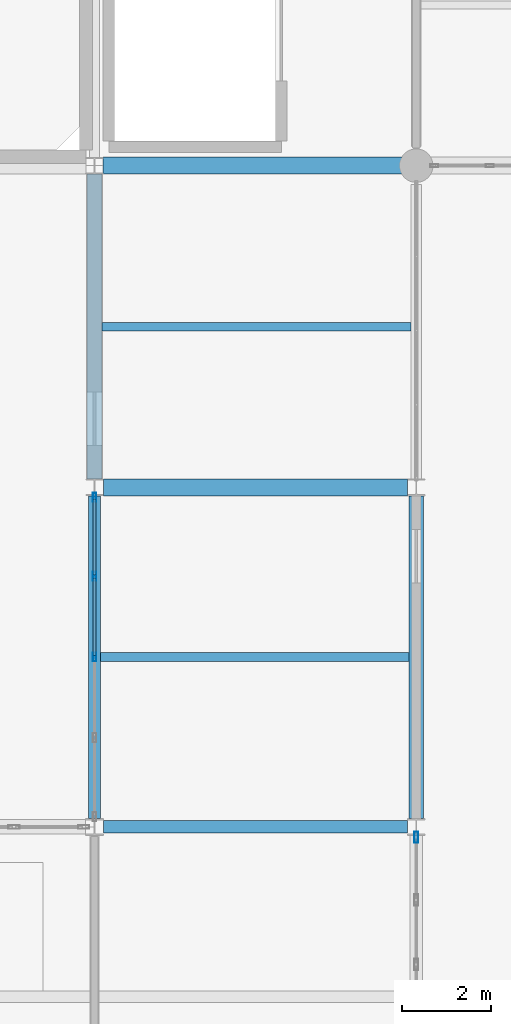
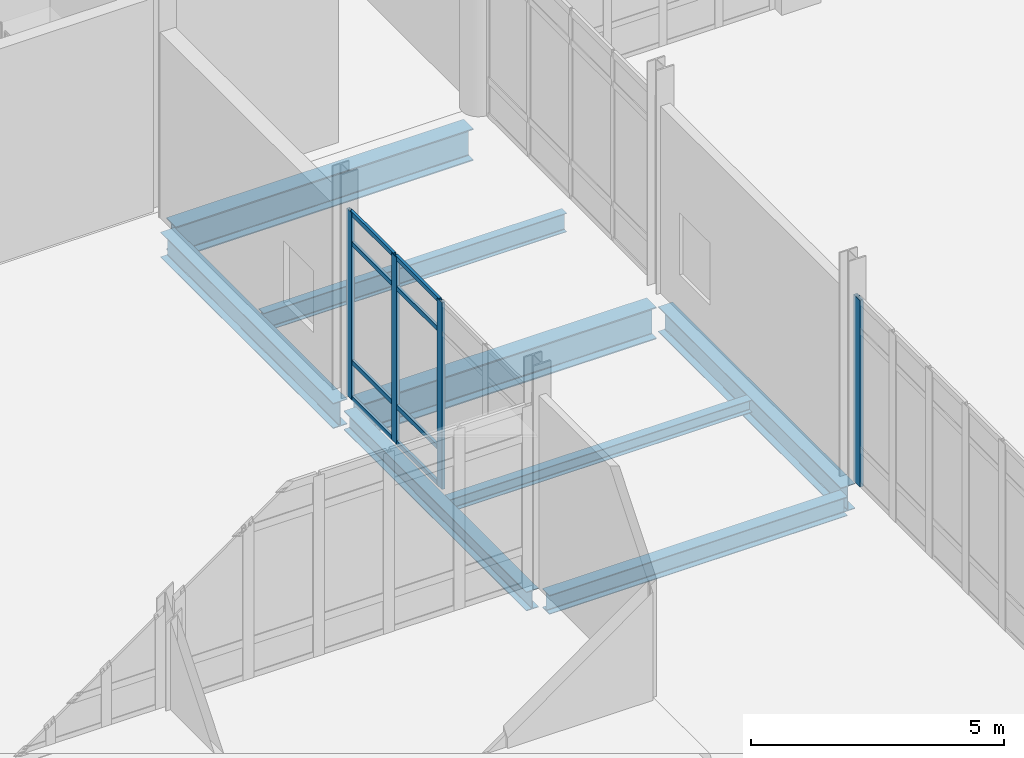
# One storey, part 107 of 229: 12 members, 8 beams, 2 elements without a shape of their own.
"""IFC4 building model written with IfcOpenShell, lengths in metres."""

import ifcopenshell
import ifcopenshell.guid

model = None  # the IFC model being written
_history = None  # IfcOwnerHistory: only IFC2X3 demands one
_inside = {}  # id of a spatial element -> (the spatial element, [elements in it])
_under = {}  # id of a project, library or spatial element -> (it, [spatial elements below it])
_declared = {}  # id of a project -> (the project, [libraries it declares])
_typed = {}  # id of a type object -> (the type object, [elements of that type])
_made_of = {}  # id of a material, layer set ... -> (it, [elements and type objects made of it])


def new_model(schema):
    """Start an empty IFC model of exactly this schema.

    Asked for "IFC4X3", IfcOpenShell would pick the latest addendum, in which some entities
    have other attributes; the version numbers below select the first issue.
    IFC2X3 requires an IfcOwnerHistory on every rooted entity: one is made here for all.
    """
    global model, _history
    if schema == "IFC4X3":
        model = ifcopenshell.file(schema_version=(4, 3, 0, 0))
    else:
        model = ifcopenshell.file(schema=schema)
    _inside.clear()
    _under.clear()
    _declared.clear()
    _typed.clear()
    _made_of.clear()
    _history = None
    if model.schema == "IFC2X3":
        org = make("IfcOrganization", Name="unknown")
        user = make(
            "IfcPersonAndOrganization",
            ThePerson=make("IfcPerson", FamilyName="unknown"),
            TheOrganization=org,
        )
        app = make(
            "IfcApplication",
            ApplicationDeveloper=org,
            Version="unknown",
            ApplicationFullName="unknown",
            ApplicationIdentifier="unknown",
        )
        _history = make(
            "IfcOwnerHistory",
            OwningUser=user,
            OwningApplication=app,
            ChangeAction="ADDED",
            CreationDate=0,
        )
    return model


def make(cls, **values):
    """One entity of the class cls with the attributes given. An attribute that is None is left unset."""
    return model.create_entity(
        cls, **{name: value for name, value in values.items() if value is not None}
    )


def rooted(cls, **values):
    """An entity with a GlobalId (a new one), such as an element, a storey or a relation."""
    return make(cls, GlobalId=ifcopenshell.guid.new(), OwnerHistory=_history, **values)


def si_unit(unit_type, name, prefix=None):
    """IfcSIUnit, for example si_unit("LENGTHUNIT", "METRE", prefix="MILLI")."""
    return make("IfcSIUnit", UnitType=unit_type, Prefix=prefix, Name=name)


def assignment(units):
    """IfcUnitAssignment: the units of a project."""
    return None if units is None else make("IfcUnitAssignment", Units=units)


def point(xyz):
    """IfcCartesianPoint."""
    return None if xyz is None else make("IfcCartesianPoint", Coordinates=xyz)


def direction(xyz):
    """IfcDirection."""
    return None if xyz is None else make("IfcDirection", DirectionRatios=xyz)


def frame(location, z_axis=None, x_axis=None):
    """IfcAxis2Placement3D, a coordinate frame: its origin and axes. An axis left out is left unset."""
    return make(
        "IfcAxis2Placement3D",
        Location=point(location),
        Axis=direction(z_axis),
        RefDirection=direction(x_axis),
    )


def frame_2d(location, x_axis=None):
    """IfcAxis2Placement2D, a coordinate frame in the plane: its origin and x axis."""
    return make(
        "IfcAxis2Placement2D", Location=point(location), RefDirection=direction(x_axis)
    )


def origin():
    """The frame at (0, 0, 0) with its axes left unset."""
    return frame((0.0, 0.0, 0.0))


def origin_2d():
    """The frame at (0, 0) in the plane with its x axis left unset."""
    return frame_2d((0.0, 0.0))


def place(relative_to, where):
    """IfcLocalPlacement: puts the frame where relative to a parent placement (None: the world)."""
    return make(
        "IfcLocalPlacement", PlacementRelTo=relative_to, RelativePlacement=where
    )


def context(
    kind, dimensions, precision=None, world=None, true_north=None, identifier=None
):
    """IfcGeometricRepresentationContext, for example the 3D "Model" context."""
    return make(
        "IfcGeometricRepresentationContext",
        ContextIdentifier=identifier,
        ContextType=kind,
        CoordinateSpaceDimension=dimensions,
        Precision=precision,
        WorldCoordinateSystem=world,
        TrueNorth=true_north,
    )


def subcontext(parent, identifier, kind, view, scale=None):
    """IfcGeometricRepresentationSubContext, for example "Body" below "Model"."""
    return make(
        "IfcGeometricRepresentationSubContext",
        ContextIdentifier=identifier,
        ContextType=kind,
        ParentContext=parent,
        TargetScale=scale,
        TargetView=view,
    )


def project(units=None, contexts=None):
    """IfcProject with its units and contexts."""
    return rooted(
        "IfcProject",
        Name="project",
        RepresentationContexts=contexts,
        UnitsInContext=assignment(units),
    )


def spatial(cls, under=None, at=None, **own):
    """A site, building, storey or space (cls), placed at a placement, below another one or the project."""
    s = rooted(cls, ObjectPlacement=at, **own)
    if under is not None:
        _under.setdefault(under.id(), (under, []))[1].append(s)
    return s


def profile(cls, at=None, kind="AREA", **sizes):
    """A parametric profile (cls). Its sizes go by their IFC names, for example OverallWidth=200.0."""
    return make(cls, ProfileType=kind, Position=at, **sizes)


def hollow_rectangle(**sizes):
    """IfcRectangleHollowProfileDef."""
    return profile("IfcRectangleHollowProfileDef", **sizes)


def i_section(**sizes):
    """IfcIShapeProfileDef."""
    return profile("IfcIShapeProfileDef", **sizes)


def extrude(swept, where, along, depth):
    """IfcExtrudedAreaSolid: the profile swept, set in the frame where, extruded along a direction by depth."""
    return make(
        "IfcExtrudedAreaSolid",
        SweptArea=swept,
        Position=where,
        ExtrudedDirection=direction(along),
        Depth=depth,
    )


def shape(context_of_items, identifier, shape_type, items):
    """IfcShapeRepresentation: the items that make up one representation, for example the "Body"."""
    return make(
        "IfcShapeRepresentation",
        ContextOfItems=context_of_items,
        RepresentationIdentifier=identifier,
        RepresentationType=shape_type,
        Items=items,
    )


def material(Name=None, Category=None):
    """IfcMaterial."""
    return make("IfcMaterial", Name=Name, Category=Category)


def layer(
    of_material, thickness, ventilated=None, Name=None, Category=None, Priority=None
):
    """IfcMaterialLayer: one layer of a wall or slab, of a material (None: an air gap)."""
    return make(
        "IfcMaterialLayer",
        Material=of_material,
        LayerThickness=thickness,
        IsVentilated=ventilated,
        Name=Name,
        Category=Category,
        Priority=Priority,
    )


def layer_set(layers, Name=None):
    """IfcMaterialLayerSet."""
    return make("IfcMaterialLayerSet", MaterialLayers=layers, LayerSetName=Name)


def material_profile(
    of_material, cross_section, Name=None, Category=None, Priority=None
):
    """IfcMaterialProfile: a cross section and its material."""
    return make(
        "IfcMaterialProfile",
        Name=Name,
        Material=of_material,
        Profile=cross_section,
        Priority=Priority,
        Category=Category,
    )


def profile_set(profiles, Name=None, composite=None):
    """IfcMaterialProfileSet."""
    return make(
        "IfcMaterialProfileSet",
        Name=Name,
        MaterialProfiles=profiles,
        CompositeProfile=composite,
    )


def made_of(thing, what):
    """Note that an element or type object is made of a material, layer set ...; save() writes the relation."""
    if what is not None:
        _made_of.setdefault(what.id(), (what, []))[1].append(thing)
    return thing


def type_object(cls, material=None, **own):
    """A type object (cls), such as IfcWallType, which elements share."""
    return made_of(rooted(cls, **own), material)


def element(
    cls,
    number,
    at=None,
    inside=None,
    cuts=None,
    type_object=None,
    material=None,
    context=None,
    identifier="Body",
    shape_type=None,
    held_by="IfcProductDefinitionShape",
    body=None,
    shapes=None,
    **own,
):
    """One element of the class cls, such as IfcWall. Its Tag is "e" and its number.

    at: its placement. inside: the storey or other place that contains it. cuts: it is an
    opening in that element (IfcRelVoidsElement). A single representation is given by context,
    identifier, shape_type and body (its items); several are given by shapes. held_by: the class
    of the entity that holds the representations. save() writes the other relations.
    """
    e = rooted(cls, Tag="e%d" % number, ObjectPlacement=at, **own)
    if body is not None:
        shapes = [shape(context, identifier, shape_type, body)]
    if shapes is not None:
        e.Representation = make(held_by, Representations=shapes)
    if inside is not None:
        _inside.setdefault(inside.id(), (inside, []))[1].append(e)
    if cuts is not None:
        rooted(
            "IfcRelVoidsElement", RelatingBuildingElement=cuts, RelatedOpeningElement=e
        )
    if type_object is not None:
        _typed.setdefault(type_object.id(), (type_object, []))[1].append(e)
    return made_of(e, material)


def aggregate(whole, parts):
    """IfcRelAggregates: a whole, such as a stair, and the parts it consists of."""
    return rooted("IfcRelAggregates", RelatingObject=whole, RelatedObjects=parts)


def save(model, path):
    """Write the relations noted so far, then the file.

    IfcRelAggregates (storeys below a building ...), IfcRelContainedInSpatialStructure (elements
    in a storey), IfcRelDefinesByType, IfcRelAssociatesMaterial and IfcRelDeclares: one each for
    every whole, place, type object, material and project.
    """
    for whole, parts in _under.values():
        aggregate(whole, parts)
    for where, things in _inside.values():
        rooted(
            "IfcRelContainedInSpatialStructure",
            RelatedElements=things,
            RelatingStructure=where,
        )
    for kind, things in _typed.values():
        rooted("IfcRelDefinesByType", RelatedObjects=things, RelatingType=kind)
    for what, things in _made_of.values():
        rooted("IfcRelAssociatesMaterial", RelatedObjects=things, RelatingMaterial=what)
    for by, libraries in _declared.values():
        rooted("IfcRelDeclares", RelatingContext=by, RelatedDefinitions=libraries)
    model.write(path)


model = new_model("IFC4")

# Units and contexts
model_context = context("Model", 3, precision=1e-05, world=origin(), true_north=direction((0.0, 1.0)))
body_context = subcontext(model_context, "Body", "Model", "MODEL_VIEW")
ifc_project = project(units=[si_unit("LENGTHUNIT", "METRE"), si_unit("AREAUNIT", "SQUARE_METRE"), si_unit("VOLUMEUNIT", "CUBIC_METRE"), si_unit("PLANEANGLEUNIT", "RADIAN"), si_unit("MASSUNIT", "GRAM", prefix="KILO")], contexts=[model_context])

# Site, building, storey
site_placement = place(None, origin())
site = spatial("IfcSite", under=ifc_project, at=site_placement, CompositionType="ELEMENT")
building_placement = place(site_placement, origin())
building = spatial("IfcBuilding", under=site, at=building_placement, Name="Calvrana Isthmian Art Gallery", CompositionType="ELEMENT")
storey_placement = place(building_placement, origin())
storey = spatial("IfcBuildingStorey", under=building, at=storey_placement, Name="L00", CompositionType="ELEMENT", Elevation=0.0)

# Beams
ifc_material_1 = material(Name="Steel ASTM A992 Gr 50", Category="steel")
ifc_material_profile_1 = material_profile(ifc_material_1, i_section(OverallWidth=0.279052734375, OverallDepth=0.4619140625, WebThickness=0.0107421875, FlangeThickness=0.017333984375, FilletRadius=0.02001953125, at=origin_2d()), Name="W18X76")
ifc_profile_set_1 = profile_set([ifc_material_profile_1], Name="Steel ASTM A992 Gr 50")
beam_type_1 = type_object("IfcBeamType", Name="BM-G-W18X76", PredefinedType="BEAM", material=ifc_profile_set_1)
beam_1_placement = place(storey_placement, frame((112.998046875, 62.0, -0.535888671875), z_axis=(1.0, 0.0, 0.0), x_axis=(0.0, 1.0, 0.0)))
element("IfcBeam", 1, at=beam_1_placement, inside=storey, type_object=beam_type_1, Name="Girder X L00 15-16/I", PredefinedType="BEAM", context=body_context, shape_type="SweptSolid", body=[
    extrude(i_section(OverallWidth=0.279052734375, OverallDepth=0.4619140625, WebThickness=0.0107421875, FlangeThickness=0.017333984375, FilletRadius=0.02001953125, at=origin_2d()), origin(), (0.0, 0.0, 1.0), 6.804931640625),
])
beam_2_placement = place(storey_placement, frame((112.800048828125, 62.1904296875, -0.535888671875), z_axis=(0.0, 1.0, 0.0), x_axis=(-1.0, 0.0, 0.0)))
element("IfcBeam", 2, at=beam_2_placement, inside=storey, type_object=beam_type_1, Name="Girder Y L00 15/I-J", PredefinedType="BEAM", context=body_context, shape_type="SweptSolid", body=[
    extrude(i_section(OverallWidth=0.279052734375, OverallDepth=0.4619140625, WebThickness=0.0107421875, FlangeThickness=0.017333984375, FilletRadius=0.02001953125, at=origin_2d()), origin(), (0.0, 0.0, 1.0), 7.216552734375),
])
ifc_material_profile_2 = material_profile(ifc_material_1, i_section(OverallWidth=0.324951171875, OverallDepth=0.612060546875, WebThickness=0.0126953125, FlangeThickness=0.01904296875, FilletRadius=0.02197265625, at=origin_2d()), Name="W24X104")
ifc_profile_set_2 = profile_set([ifc_material_profile_2], Name="Steel ASTM A992 Gr 50")
beam_type_2 = type_object("IfcBeamType", Name="BM-G-W24X104", PredefinedType="BEAM", material=ifc_profile_set_2)
beam_3_placement = place(storey_placement, frame((112.800048828125, 69.79296875, -0.660888671875), z_axis=(0.0, 1.0, 0.0), x_axis=(-1.0, 0.0, 0.0)))
element("IfcBeam", 3, at=beam_3_placement, inside=storey, type_object=beam_type_2, Name="Girder Y L00 15/J-K", PredefinedType="BEAM", context=body_context, shape_type="SweptSolid", body=[
    extrude(i_section(OverallWidth=0.324951171875, OverallDepth=0.612060546875, WebThickness=0.0126953125, FlangeThickness=0.01904296875, FilletRadius=0.02197265625, at=origin_2d()), origin(), (0.0, 0.0, 1.0), 6.820556640625),
])
beam_4_placement = place(storey_placement, frame((120.0, 62.18798828125, -0.611083984375), z_axis=(0.0, 1.0, 0.0), x_axis=(-1.0, 0.0, 0.0)))
element("IfcBeam", 4, at=beam_4_placement, inside=storey, type_object=beam_type_2, Name="Girder Y L00 16/I-J", PredefinedType="BEAM", context=body_context, shape_type="SweptSolid", body=[
    extrude(i_section(OverallWidth=0.324951171875, OverallDepth=0.612060546875, WebThickness=0.0126953125, FlangeThickness=0.01904296875, FilletRadius=0.02197265625, at=origin_2d()), origin(), (0.0, 0.0, 1.0), 7.221435546875),
])
ifc_material_profile_3 = material_profile(ifc_material_1, i_section(OverallWidth=0.381103515625, OverallDepth=0.77197265625, WebThickness=0.0166015625, FlangeThickness=0.027099609375, FilletRadius=0.02490234375, at=origin_2d()), Name="W30X173")
ifc_profile_set_3 = profile_set([ifc_material_profile_3], Name="Steel ASTM A992 Gr 50")
beam_type_3 = type_object("IfcBeamType", Name="BM-G-W30X173", PredefinedType="BEAM", material=ifc_profile_set_3)
beam_5_placement = place(storey_placement, frame((112.99951171875, 69.60009765625, -0.69091796875), z_axis=(1.0, 0.0, 0.0), x_axis=(0.0, 1.0, 0.0)))
element("IfcBeam", 5, at=beam_5_placement, inside=storey, type_object=beam_type_3, Name="Girder X L00 15-16/J", PredefinedType="BEAM", context=body_context, shape_type="SweptSolid", body=[
    extrude(i_section(OverallWidth=0.381103515625, OverallDepth=0.77197265625, WebThickness=0.0166015625, FlangeThickness=0.027099609375, FilletRadius=0.02490234375, at=origin_2d()), origin(), (0.0, 0.0, 1.0), 6.802490234375),
])
beam_6_placement = place(storey_placement, frame((112.986572265625, 76.800048828125, -0.740966796875), z_axis=(1.0, 0.0, 0.0), x_axis=(0.0, 1.0, 0.0)))
element("IfcBeam", 6, at=beam_6_placement, inside=storey, type_object=beam_type_3, Name="Girder X L00 15-16/K", PredefinedType="BEAM", context=body_context, shape_type="SweptSolid", body=[
    extrude(i_section(OverallWidth=0.381103515625, OverallDepth=0.77197265625, WebThickness=0.0166015625, FlangeThickness=0.027099609375, FilletRadius=0.02490234375, at=origin_2d()), origin(), (0.0, 0.0, 1.0), 6.788330078125),
])
ifc_material_profile_4 = material_profile(ifc_material_1, i_section(OverallWidth=0.202880859375, OverallDepth=0.302001953125, WebThickness=0.007568359375, FlangeThickness=0.01318359375, FilletRadius=0.01611328125, at=origin_2d()), Name="W12X40")
ifc_profile_set_4 = profile_set([ifc_material_profile_4], Name="Steel ASTM A992 Gr 50")
beam_type_4 = type_object("IfcBeamType", Name="BM-J-W12X40", PredefinedType="JOIST", material=ifc_profile_set_4)
beam_7_placement = place(storey_placement, frame((112.939453125, 65.800048828125, -0.4560546875), z_axis=(1.0, 0.0, 0.0), x_axis=(0.0, 1.0, 0.0)))
element("IfcBeam", 7, at=beam_7_placement, inside=storey, type_object=beam_type_4, Name="Composite joist L00 bay 14-08", PredefinedType="JOIST", context=body_context, shape_type="SweptSolid", body=[
    extrude(i_section(OverallWidth=0.202880859375, OverallDepth=0.302001953125, WebThickness=0.007568359375, FlangeThickness=0.01318359375, FilletRadius=0.01611328125, at=origin_2d()), origin(), (0.0, 0.0, 1.0), 6.89794921875),
])
ifc_material_profile_5 = material_profile(ifc_material_1, i_section(OverallWidth=0.19091796875, OverallDepth=0.45703125, WebThickness=0.009033203125, FlangeThickness=0.014404296875, FilletRadius=0.02001953125, at=origin_2d()), Name="W18X50")
ifc_profile_set_5 = profile_set([ifc_material_profile_5], Name="Steel ASTM A992 Gr 50")
beam_type_5 = type_object("IfcBeamType", Name="BM-J-W18X50", PredefinedType="JOIST", material=ifc_profile_set_5)
beam_8_placement = place(storey_placement, frame((112.96240234375, 73.199951171875, -0.533447265625), z_axis=(1.0, 0.0, 0.0), x_axis=(0.0, 1.0, 0.0)))
element("IfcBeam", 8, at=beam_8_placement, inside=storey, type_object=beam_type_5, Name="Composite joist L00 bay 14-09", PredefinedType="JOIST", context=body_context, shape_type="SweptSolid", body=[
    extrude(i_section(OverallWidth=0.19091796875, OverallDepth=0.45703125, WebThickness=0.009033203125, FlangeThickness=0.014404296875, FilletRadius=0.02001953125, at=origin_2d()), origin(), (0.0, 0.0, 1.0), 6.923583984375),
])

# Curtain wall, members
ifc_material_2 = material(Name="Anodized bronze aluminium 6063-T6", Category="aluminium")
ifc_layer = layer(ifc_material_2, 0.179931640625, Name="Anodized bronze aluminium 6063-T6")
ifc_layer_set = layer_set([ifc_layer], Name="Anodized bronze aluminium 6063-T6")
curtain_wall_type = type_object("IfcCurtainWallType", Name="CW-STICK-072X45", PredefinedType="NOTDEFINED", material=ifc_layer_set)
curtain_wall_1_placement = place(storey_placement, origin())
curtain_wall_1 = element("IfcCurtainWall", 9, at=curtain_wall_1_placement, inside=storey, type_object=curtain_wall_type, Name="Curtain wall CW-075", PredefinedType="NOTDEFINED")
ifc_material_profile_6 = material_profile(ifc_material_2, hollow_rectangle(XDim=0.070068359375, YDim=0.199951171875, WallThickness=0.0048828125, at=origin_2d()), Name="CWM70X200")
ifc_profile_set_6 = profile_set([ifc_material_profile_6], Name="Anodized bronze aluminium 6063-T6")
member_type_1 = type_object("IfcMemberType", Name="CWM-CWM70X200", PredefinedType="MULLION", material=ifc_profile_set_6)
member_1_placement = place(storey_placement, frame((112.800048828125, 65.80322265625, 0.0), z_axis=(0.0, 0.0, 1.0), x_axis=(-1.0, 0.0, 0.0)))
member_1 = element("IfcMember", 10, at=member_1_placement, type_object=member_type_1, Name="CW-075 mullion 3", PredefinedType="MULLION", context=body_context, shape_type="SweptSolid", body=[
    extrude(hollow_rectangle(XDim=0.070068359375, YDim=0.199951171875, WallThickness=0.0048828125, at=origin_2d()), origin(), (0.0, 0.0, 1.0), 4.508056640625),
])
member_2_placement = place(storey_placement, frame((112.800048828125, 67.6083984375, 0.0), z_axis=(0.0, 0.0, 1.0), x_axis=(-1.0, 0.0, 0.0)))
member_2 = element("IfcMember", 11, at=member_2_placement, type_object=member_type_1, Name="CW-075 mullion 4", PredefinedType="MULLION", context=body_context, shape_type="SweptSolid", body=[
    extrude(hollow_rectangle(XDim=0.070068359375, YDim=0.199951171875, WallThickness=0.0048828125, at=origin_2d()), origin(), (0.0, 0.0, 1.0), 4.508056640625),
])
member_3_placement = place(storey_placement, frame((112.800048828125, 69.37841796875, 0.0), z_axis=(0.0, 0.0, 1.0), x_axis=(-1.0, 0.0, 0.0)))
member_3 = element("IfcMember", 12, at=member_3_placement, type_object=member_type_1, Name="CW-075 mullion 5", PredefinedType="MULLION", context=body_context, shape_type="SweptSolid", body=[
    extrude(hollow_rectangle(XDim=0.070068359375, YDim=0.199951171875, WallThickness=0.0048828125, at=origin_2d()), origin(), (0.0, 0.0, 1.0), 4.508056640625),
])

# Curtain wall, member
curtain_wall_2_placement = place(storey_placement, origin())
curtain_wall_2 = element("IfcCurtainWall", 13, at=curtain_wall_2_placement, inside=storey, type_object=curtain_wall_type, Name="Curtain wall CW-077", PredefinedType="NOTDEFINED")
ifc_material_profile_7 = material_profile(ifc_material_2, hollow_rectangle(XDim=0.080078125, YDim=0.25, WallThickness=0.005615234375, at=origin_2d()), Name="CWM80X250")
ifc_profile_set_7 = profile_set([ifc_material_profile_7], Name="Anodized bronze aluminium 6063-T6")
member_type_2 = type_object("IfcMemberType", Name="CWM-CWM80X250", PredefinedType="MULLION", material=ifc_profile_set_7)
member_4_placement = place(storey_placement, frame((120.0, 61.76953125, 0.0), z_axis=(0.0, 0.0, 1.0), x_axis=(1.0, 0.0, 0.0)))
member_4 = element("IfcMember", 14, at=member_4_placement, type_object=member_type_2, Name="CW-077 mullion 1", PredefinedType="MULLION", context=body_context, shape_type="SweptSolid", body=[
    extrude(hollow_rectangle(XDim=0.080078125, YDim=0.25, WallThickness=0.005615234375, at=origin_2d()), origin(), (0.0, 0.0, 1.0), 4.508056640625),
])
aggregate(curtain_wall_2, [member_4])

# Member
ifc_material_profile_8 = material_profile(ifc_material_2, hollow_rectangle(XDim=0.06005859375, YDim=0.110107421875, WallThickness=0.00341796875, at=origin_2d()), Name="CWT60X110")
ifc_profile_set_8 = profile_set([ifc_material_profile_8], Name="Anodized bronze aluminium 6063-T6")
member_type_3 = type_object("IfcMemberType", Name="CWT-CWT60X110", PredefinedType="USERDEFINED", material=ifc_profile_set_8)
member_5_placement = place(storey_placement, frame((112.800048828125, 65.838134765625, 0.030029296875), z_axis=(0.0, 1.0, 0.0), x_axis=(-1.0, 0.0, 0.0)))
member_5 = element("IfcMember", 15, at=member_5_placement, type_object=member_type_3, Name="CW-075 transom 3.1", ObjectType="TRANSOM", PredefinedType="USERDEFINED", context=body_context, shape_type="SweptSolid", body=[
    extrude(hollow_rectangle(XDim=0.06005859375, YDim=0.110107421875, WallThickness=0.00341796875, at=origin_2d()), origin(), (0.0, 0.0, 1.0), 1.7353515625),
])

member_6_placement = place(storey_placement, frame((112.800048828125, 65.838134765625, 0.89990234375), z_axis=(0.0, 1.0, 0.0), x_axis=(-1.0, 0.0, 0.0)))
member_6 = element("IfcMember", 16, at=member_6_placement, type_object=member_type_3, Name="CW-075 transom 3.2", ObjectType="TRANSOM", PredefinedType="USERDEFINED", context=body_context, shape_type="SweptSolid", body=[
    extrude(hollow_rectangle(XDim=0.06005859375, YDim=0.110107421875, WallThickness=0.00341796875, at=origin_2d()), origin(), (0.0, 0.0, 1.0), 1.7353515625),
])

member_7_placement = place(storey_placement, frame((112.800048828125, 65.838134765625, 3.758056640625), z_axis=(0.0, 1.0, 0.0), x_axis=(-1.0, 0.0, 0.0)))
member_7 = element("IfcMember", 17, at=member_7_placement, type_object=member_type_3, Name="CW-075 transom 3.3", ObjectType="TRANSOM", PredefinedType="USERDEFINED", context=body_context, shape_type="SweptSolid", body=[
    extrude(hollow_rectangle(XDim=0.06005859375, YDim=0.110107421875, WallThickness=0.00341796875, at=origin_2d()), origin(), (0.0, 0.0, 1.0), 1.7353515625),
])

member_8_placement = place(storey_placement, frame((112.800048828125, 65.838134765625, 4.47802734375), z_axis=(0.0, 1.0, 0.0), x_axis=(-1.0, 0.0, 0.0)))
member_8 = element("IfcMember", 18, at=member_8_placement, type_object=member_type_3, Name="CW-075 transom 3.4", ObjectType="TRANSOM", PredefinedType="USERDEFINED", context=body_context, shape_type="SweptSolid", body=[
    extrude(hollow_rectangle(XDim=0.06005859375, YDim=0.110107421875, WallThickness=0.00341796875, at=origin_2d()), origin(), (0.0, 0.0, 1.0), 1.7353515625),
])

member_9_placement = place(storey_placement, frame((112.800048828125, 67.643310546875, 0.030029296875), z_axis=(0.0, 1.0, 0.0), x_axis=(-1.0, 0.0, 0.0)))
member_9 = element("IfcMember", 19, at=member_9_placement, type_object=member_type_3, Name="CW-075 transom 4.1", ObjectType="TRANSOM", PredefinedType="USERDEFINED", context=body_context, shape_type="SweptSolid", body=[
    extrude(hollow_rectangle(XDim=0.06005859375, YDim=0.110107421875, WallThickness=0.00341796875, at=origin_2d()), origin(), (0.0, 0.0, 1.0), 1.7001953125),
])

member_10_placement = place(storey_placement, frame((112.800048828125, 67.643310546875, 0.89990234375), z_axis=(0.0, 1.0, 0.0), x_axis=(-1.0, 0.0, 0.0)))
member_10 = element("IfcMember", 20, at=member_10_placement, type_object=member_type_3, Name="CW-075 transom 4.2", ObjectType="TRANSOM", PredefinedType="USERDEFINED", context=body_context, shape_type="SweptSolid", body=[
    extrude(hollow_rectangle(XDim=0.06005859375, YDim=0.110107421875, WallThickness=0.00341796875, at=origin_2d()), origin(), (0.0, 0.0, 1.0), 1.7001953125),
])

member_11_placement = place(storey_placement, frame((112.800048828125, 67.643310546875, 3.758056640625), z_axis=(0.0, 1.0, 0.0), x_axis=(-1.0, 0.0, 0.0)))
member_11 = element("IfcMember", 21, at=member_11_placement, type_object=member_type_3, Name="CW-075 transom 4.3", ObjectType="TRANSOM", PredefinedType="USERDEFINED", context=body_context, shape_type="SweptSolid", body=[
    extrude(hollow_rectangle(XDim=0.06005859375, YDim=0.110107421875, WallThickness=0.00341796875, at=origin_2d()), origin(), (0.0, 0.0, 1.0), 1.7001953125),
])

member_12_placement = place(storey_placement, frame((112.800048828125, 67.643310546875, 4.47802734375), z_axis=(0.0, 1.0, 0.0), x_axis=(-1.0, 0.0, 0.0)))
member_12 = element("IfcMember", 22, at=member_12_placement, type_object=member_type_3, Name="CW-075 transom 4.4", ObjectType="TRANSOM", PredefinedType="USERDEFINED", context=body_context, shape_type="SweptSolid", body=[
    extrude(hollow_rectangle(XDim=0.06005859375, YDim=0.110107421875, WallThickness=0.00341796875, at=origin_2d()), origin(), (0.0, 0.0, 1.0), 1.7001953125),
])

aggregate(curtain_wall_1, [member_1, member_2, member_3, member_5, member_6, member_7, member_8, member_9, member_10, member_11, member_12])

save(model, "model.ifc")
